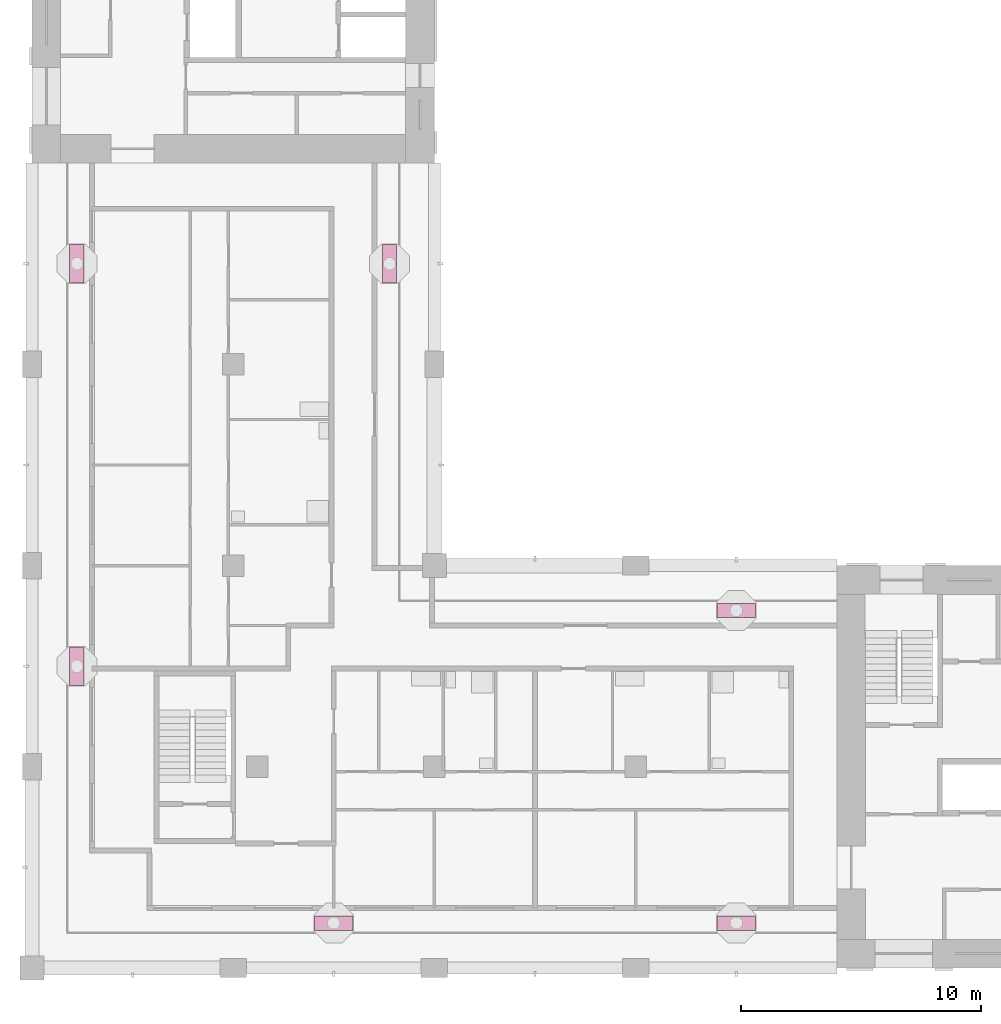
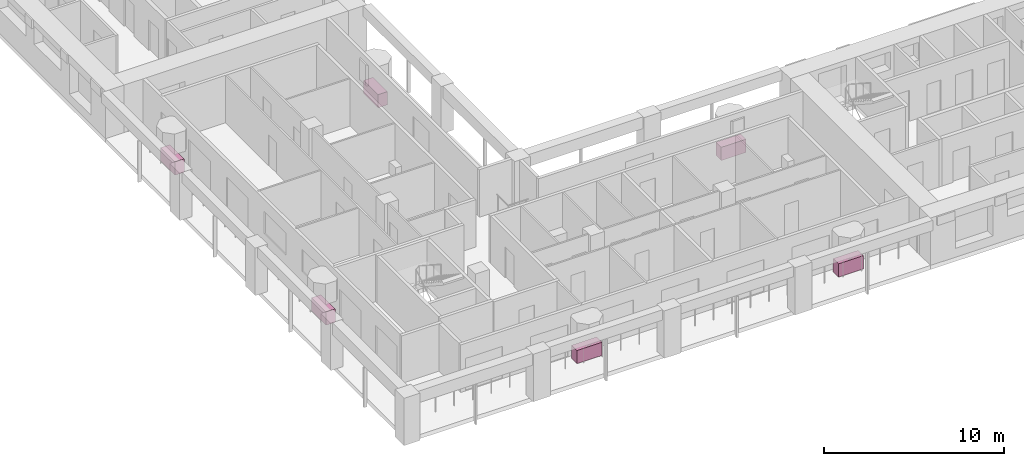
# One storey, part 10 of 11: 6 furniture elements.
"""IFC4 building model written with IfcOpenShell, lengths in metres."""

from ifc_helpers import new_model, si_unit, direction, frame, origin, origin_2d, place, context, subcontext, project, spatial, rectangle, extrude, material, element, save


model = new_model("IFC4")

# Units and contexts
model_context = context("Model", 3, precision=1e-05, world=origin(), true_north=direction((0.0, 1.0)))
body_context = subcontext(model_context, "Body", "Model", "MODEL_VIEW")
ifc_project = project(units=[si_unit("LENGTHUNIT", "METRE"), si_unit("AREAUNIT", "SQUARE_METRE"), si_unit("VOLUMEUNIT", "CUBIC_METRE"), si_unit("PLANEANGLEUNIT", "RADIAN"), si_unit("MASSUNIT", "GRAM", prefix="KILO")], contexts=[model_context])

# Site, building, storey
site_placement = place(None, origin())
site = spatial("IfcSite", under=ifc_project, at=site_placement, CompositionType="ELEMENT")
building_placement = place(site_placement, origin())
building = spatial("IfcBuilding", under=site, at=building_placement, Name="Vermilion Gate Residences", CompositionType="ELEMENT")
storey_placement = place(building_placement, frame((0.0, 0.0, 256.199951171875)))
storey = spatial("IfcBuildingStorey", under=building, at=storey_placement, Name="L67", CompositionType="ELEMENT", Elevation=256.199951171875)

# Furniture
ifc_material = material(Name="Terracotta planter", Category="masonry")
for number, where, z_axis, x_axis, name in (
    (1, (21.0, 10.27490234375, 0.0), (0.0, 0.0, 1.0), (1.0, 0.0, 0.0), "PLANTER"),
    (2, (37.800048828125, 10.27490234375, 0.0), (0.0, 0.0, 1.0), (1.0, 0.0, 0.0), "PLANTER"),
    (3, (37.800048828125, 23.324951171875, 0.0), (0.0, 0.0, 1.0), (-1.0, 0.0, 0.0), "PLANTER"),
    (4, (23.324951171875, 37.800048828125, 0.0), (0.0, 0.0, 1.0), (0.0, 1.0, 0.0), "PLANTER"),
    (5, (10.27490234375, 21.0, 0.0), (0.0, 0.0, 1.0), (0.0, -1.0, 0.0), "PLANTER"),
    (6, (10.27490234375, 37.800048828125, 0.0), (0.0, 0.0, 1.0), (0.0, -1.0, 0.0), "PLANTER"),
):
    element("IfcFurniture", number, at=place(storey_placement, frame(where, z_axis=z_axis, x_axis=x_axis)), inside=storey, material=ifc_material, Name=name, ObjectType="PLANTER", PredefinedType="USERDEFINED", context=body_context, shape_type="SweptSolid", body=[
        extrude(rectangle(XDim=1.60009765625, YDim=0.60009765625, at=origin_2d()), origin(), (0.0, 0.0, 1.0), 0.89990234375),
    ])

save(model, "model.ifc")
